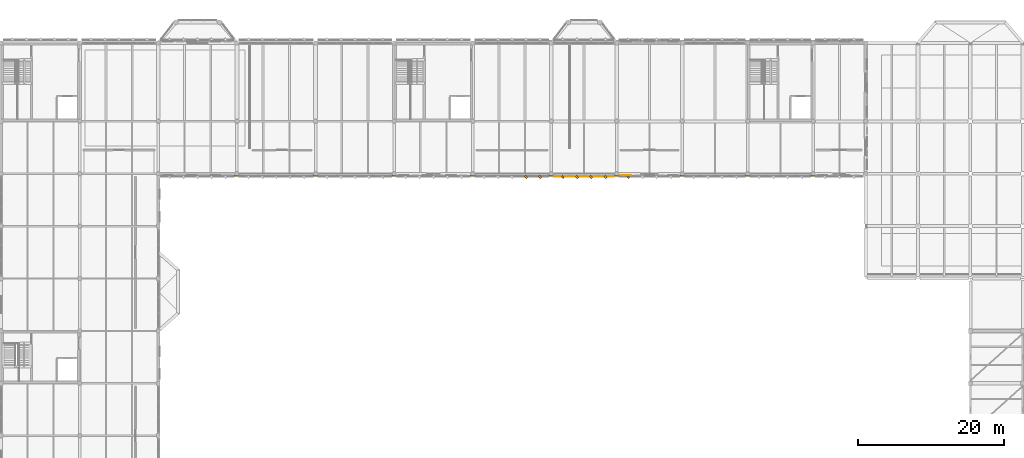
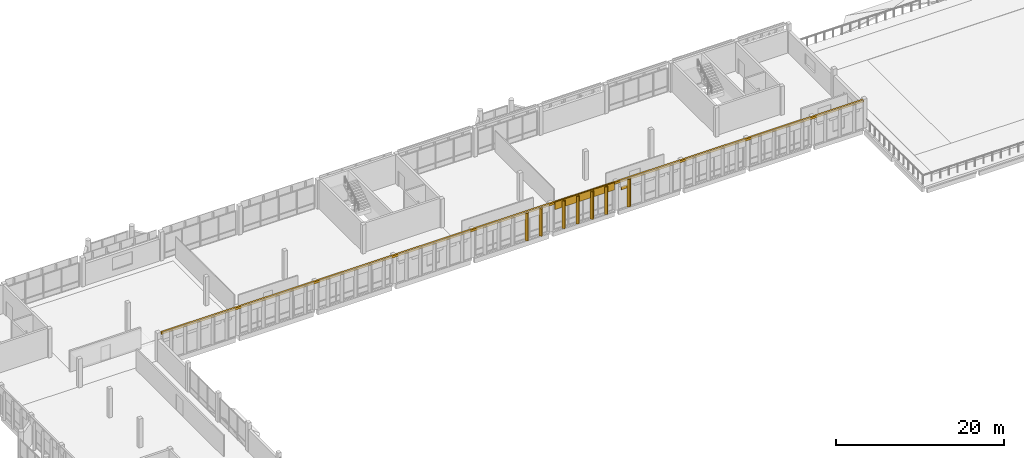
# One storey, part 68 of 72: 10 coverings.
"""IFC4 building model written with IfcOpenShell, lengths in metres."""

from ifc_helpers import new_model, si_unit, direction, frame, origin, origin_2d, place, context, subcontext, project, spatial, rectangle, extrude, material, layer, layer_set, type_object, element, save


model = new_model("IFC4")

# Units and contexts
model_context = context("Model", 3, precision=1e-05, world=origin(), true_north=direction((0.0, 1.0)))
body_context = subcontext(model_context, "Body", "Model", "MODEL_VIEW")
ifc_project = project(units=[si_unit("LENGTHUNIT", "METRE"), si_unit("AREAUNIT", "SQUARE_METRE"), si_unit("VOLUMEUNIT", "CUBIC_METRE"), si_unit("PLANEANGLEUNIT", "RADIAN"), si_unit("MASSUNIT", "GRAM", prefix="KILO")], contexts=[model_context])

# Site, building, storey
site_placement = place(None, origin())
site = spatial("IfcSite", under=ifc_project, at=site_placement, CompositionType="ELEMENT")
building_placement = place(site_placement, origin())
building = spatial("IfcBuilding", under=site, at=building_placement, Name="Lusvemor Sports Hall", CompositionType="ELEMENT")
storey_placement = place(building_placement, frame((0.0, 0.0, 15.0)))
storey = spatial("IfcBuildingStorey", under=building, at=storey_placement, Name="L03", CompositionType="ELEMENT", Elevation=15.0)

# Coverings
ifc_material_1 = material(Name="Precast granite-faced Concrete C40/50 architectural cladding", Category="masonry")
ifc_layer_1 = layer(ifc_material_1, 0.055908203125)
ifc_layer_set_1 = layer_set([ifc_layer_1], Name="Precast granite-faced Concrete C40/50 architectural cladding")
covering_type_1 = type_object("IfcCoveringType", Name="CLAD_RELIEF_FRIEZE", PredefinedType="CLADDING", material=ifc_layer_set_1)
covering_1_placement = place(storey_placement, frame((70.199951171875, 96.97998046875, 3.8798828125), z_axis=(0.0, 0.0, 1.0), x_axis=(1.0, 0.0, 0.0)))
element("IfcCovering", 1, at=covering_1_placement, inside=storey, type_object=covering_type_1, Name="Art Nouveau Sculpted Roofline Cornice 1378", PredefinedType="CLADDING", context=body_context, shape_type="SweptSolid", body=[
    extrude(rectangle(XDim=96.60009765625, YDim=0.239990234375, at=origin_2d()), origin(), (0.0, 0.0, 1.0), 0.320068359375),
])
ifc_material_2 = material(Name="Emerald polychrome glazed ceramic cladding on Concrete C40/50 backing", Category="concrete")
ifc_layer_2 = layer(ifc_material_2, 0.0458984375)
ifc_layer_set_2 = layer_set([ifc_layer_2], Name="Emerald polychrome glazed ceramic cladding on Concrete C40/50 backing")
covering_type_2 = type_object("IfcCoveringType", Name="CLAD_WAVE_EMERALD", PredefinedType="CLADDING", material=ifc_layer_set_2)
covering_2_placement = place(storey_placement, frame((85.89990234375, 97.001953125, 2.669921875), z_axis=(0.0, 0.0, 1.0), x_axis=(1.0, 0.0, 0.0)))
element("IfcCovering", 2, at=covering_2_placement, inside=storey, type_object=covering_type_2, Name="Art Nouveau Patterned Cladding PS-EW-L03-S-3-6-1", PredefinedType="CLADDING", context=body_context, shape_type="SweptSolid", body=[
    extrude(rectangle(XDim=1.31201171875, YDim=0.0458984375, at=origin_2d()), origin(), (0.0, 0.0, 1.0), 0.510009765625),
])
for number, where, z_axis, x_axis, name in (
    (3, (72.1201171875, 96.760009765625, 0.10009765625), (0.0, 0.0, 1.0), (0.707106781187, 0.707106781187, 0.0), "Patterned Diamond Cladding Rib 1280"),
    (4, (79.125, 96.760009765625, 0.10009765625), (0.0, 0.0, 1.0), (0.707106781187, 0.707106781187, 0.0), "Patterned Diamond Cladding Rib 1299"),
    (5, (83.02490234375, 96.760009765625, 0.10009765625), (0.0, 0.0, 1.0), (0.707106781187, 0.707106781187, 0.0), "Patterned Diamond Cladding Rib 1301"),
):
    element("IfcCovering", number, at=place(storey_placement, frame(where, z_axis=z_axis, x_axis=x_axis)), inside=storey, type_object=covering_type_2, Name=name, PredefinedType="CLADDING", context=body_context, shape_type="SweptSolid", body=[
        extrude(rectangle(XDim=0.280029296875, YDim=0.3798828125, at=origin_2d()), origin(), (0.0, 0.0, 1.0), 4.0),
    ])
ifc_material_3 = material(Name="Warm terracotta Art Nouveau ceramic cladding on Concrete C40/50 backing", Category="masonry")
ifc_layer_3 = layer(ifc_material_3, 0.0380859375)
ifc_layer_set_3 = layer_set([ifc_layer_3], Name="Warm terracotta Art Nouveau ceramic cladding on Concrete C40/50 backing")
covering_type_3 = type_object("IfcCoveringType", Name="CLAD_WAVE_OCHRE", PredefinedType="CLADDING", material=ifc_layer_set_3)
covering_3_placement = place(storey_placement, frame((80.10009765625, 96.81005859375, 3.179931640625), z_axis=(0.0, 0.0, 1.0), x_axis=(1.0, 0.0, 0.0)))
element("IfcCovering", 6, at=covering_3_placement, inside=storey, type_object=covering_type_3, Name="Art Nouveau Spandrel Cornice 1297", PredefinedType="CLADDING", context=body_context, shape_type="SweptSolid", body=[
    extrude(rectangle(XDim=8.179931640625, YDim=0.090087890625, at=origin_2d()), origin(), (0.0, 0.0, 1.0), 1.080078125),
])
ifc_material_4 = material(Name="Warm terracotta Art Nouveau ceramic cladding on Concrete C40/50 backing", Category="masonry")
ifc_layer_4 = layer(ifc_material_4, 0.449951171875)
ifc_layer_set_4 = layer_set([ifc_layer_4], Name="Warm terracotta Art Nouveau ceramic cladding on Concrete C40/50 backing")
covering_type_4 = type_object("IfcCoveringType", Name="FIN_BRISE_CER_450", PredefinedType="MOLDING", material=ifc_layer_set_4)
for number, where, z_axis, x_axis, name in (
    (7, (74.0400390625, 96.760009765625, 0.10009765625), (0.0, 0.0, 1.0), (0.707106781187, 0.707106781187, 0.0), "Patterned Diamond Cladding Rib 1281"),
    (8, (77.175048828125, 96.760009765625, 0.10009765625), (0.0, 0.0, 1.0), (0.707106781187, 0.707106781187, 0.0), "Patterned Diamond Cladding Rib 1298"),
    (9, (81.074951171875, 96.760009765625, 0.10009765625), (0.0, 0.0, 1.0), (0.707106781187, 0.707106781187, 0.0), "Patterned Diamond Cladding Rib 1300"),
    (10, (86.175048828125, 96.760009765625, 0.10009765625), (0.0, 0.0, 1.0), (0.707106781187, 0.707106781187, 0.0), "Patterned Diamond Cladding Rib 1318"),
):
    element("IfcCovering", number, at=place(storey_placement, frame(where, z_axis=z_axis, x_axis=x_axis)), inside=storey, type_object=covering_type_4, Name=name, PredefinedType="MOLDING", context=body_context, shape_type="SweptSolid", body=[
        extrude(rectangle(XDim=0.280029296875, YDim=0.3798828125, at=origin_2d()), origin(), (0.0, 0.0, 1.0), 4.0),
    ])

save(model, "model.ifc")
